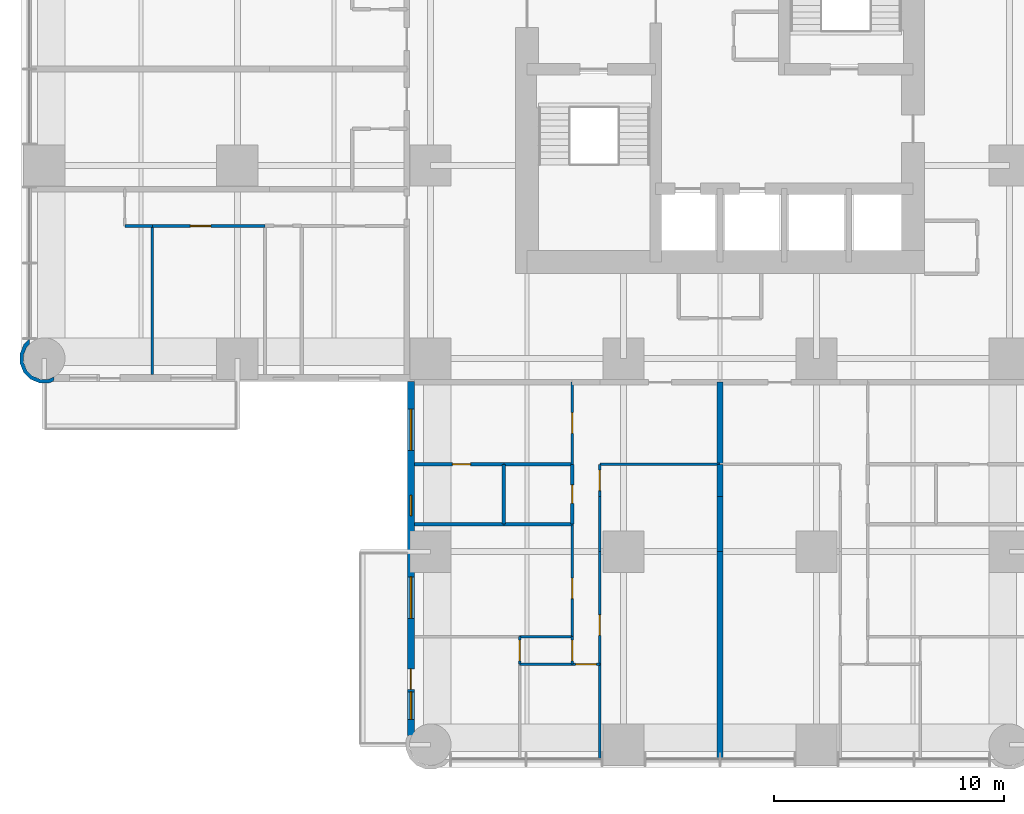
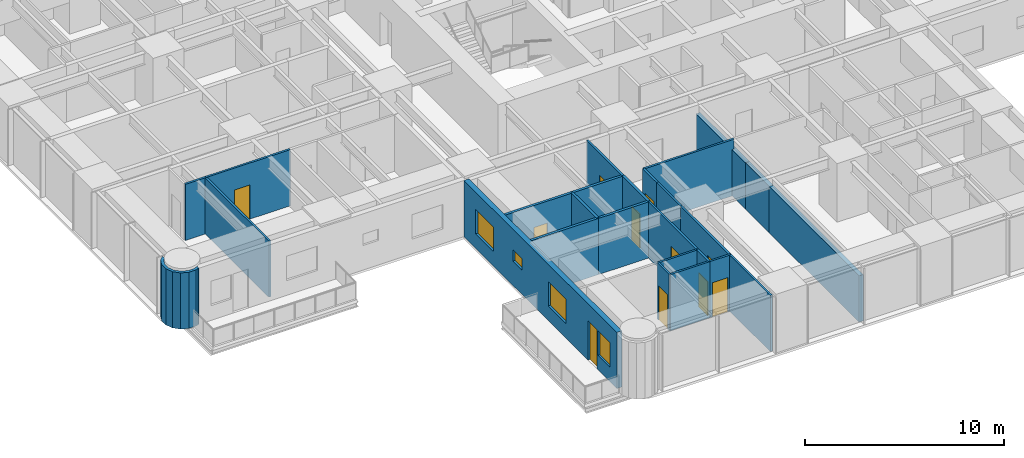
# One storey, part 7 of 17: 27 walls, 11 doors, 4 windows, 15 openings.
"""IFC4 building model written with IfcOpenShell, lengths in metres."""

from ifc_helpers import new_model, si_unit, direction, frame, frame_2d, origin, place, context, subcontext, project, spatial, polyline, rectangle, outline, extrude, material, layer, layer_set, type_object, element, fill, save


model = new_model("IFC4")

# Units and contexts
model_context = context("Model", 3, precision=1e-05, world=origin(), true_north=direction((0.0, 1.0)))
body_context = subcontext(model_context, "Body", "Model", "MODEL_VIEW")
ifc_project = project(units=[si_unit("LENGTHUNIT", "METRE"), si_unit("AREAUNIT", "SQUARE_METRE"), si_unit("VOLUMEUNIT", "CUBIC_METRE"), si_unit("PLANEANGLEUNIT", "RADIAN"), si_unit("MASSUNIT", "GRAM", prefix="KILO")], contexts=[model_context])

# Site, building, storey
site_placement = place(None, origin())
site = spatial("IfcSite", under=ifc_project, at=site_placement, CompositionType="ELEMENT")
building_placement = place(site_placement, origin())
building = spatial("IfcBuilding", under=site, at=building_placement, Name="Torre Alcanfor", CompositionType="ELEMENT")
storey_placement = place(building_placement, frame((0.0, 0.0, 63.300048828125)))
storey = spatial("IfcBuildingStorey", under=building, at=storey_placement, Name="L15", CompositionType="ELEMENT", Elevation=63.300048828125)

# Wall
ifc_material_1 = material(Name="Gypsum board on steel studs", Category="steel")
ifc_layer_1 = layer(ifc_material_1, 0.1201171875)
ifc_layer_set_1 = layer_set([ifc_layer_1], Name="Apartment partition 120")
wall_type_1 = type_object("IfcWallType", Name="Apartment partition 120", PredefinedType="PARTITIONING", material=ifc_layer_set_1)
wall_1_placement = place(storey_placement, frame((29.39990234375, 12.199951171875, 0.0), z_axis=(0.0, 0.0, 1.0), x_axis=(-1.0, 0.0, 0.0)))
element("IfcWall", 1, at=wall_1_placement, inside=storey, type_object=wall_type_1, Name="Partition L15-S2-ZAG / L15-S2-LAUND", PredefinedType="PARTITIONING", context=body_context, shape_type="SweptSolid", body=[
    extrude(rectangle(XDim=5.22900390625, YDim=0.1201171875, at=frame_2d((2.614501953125, 0.0))), origin(), (0.0, 0.0, 1.0), 3.449951171875),
])

# Wall, opening, door
wall_2_placement = place(storey_placement, frame((24.1708984375, 10.800048828125, 0.0), z_axis=(0.0, 0.0, 1.0), x_axis=(0.0, 1.0, 0.0)))
wall_2 = element("IfcWall", 2, at=wall_2_placement, inside=storey, type_object=wall_type_1, Name="Partition L15-S2-LAUND / L15-S2-HALL", PredefinedType="PARTITIONING", context=body_context, shape_type="SweptSolid", body=[
    extrude(rectangle(XDim=1.39990234375, YDim=0.1201171875, at=frame_2d((0.699951171875, 0.0))), origin(), (0.0, 0.0, 1.0), 3.449951171875),
])
opening_1_placement = place(wall_2_placement, frame((0.25, 0.0, 0.0)))
opening_1 = element("IfcOpeningElement", 3, at=opening_1_placement, cuts=wall_2, Name="Opening D-R1", PredefinedType="OPENING", context=body_context, shape_type="SweptSolid", body=[
    extrude(rectangle(XDim=0.89990234375, YDim=2.10009765625, at=frame_2d((0.449951171875, 1.050048828125))), frame((0.0, 0.070068359375, 0.0), z_axis=(0.0, -1.0, 0.0), x_axis=(1.0, 0.0, 0.0)), (0.0, 0.0, 1.0), 0.14013671875),
])
ifc_material_2 = material(Name="Timber", Category="wood")
door_type_1 = type_object("IfcDoorType", Name="Internal door 900x2100", OperationType="SINGLE_SWING_LEFT", PredefinedType="DOOR", material=ifc_material_2)
door_1_placement = place(opening_1_placement, frame((0.89990234375, 0.0, 0.0), z_axis=(0.0, 0.0, 1.0), x_axis=(-1.0, 0.0, 0.0)))
door_1 = element("IfcDoor", 4, at=door_1_placement, inside=storey, type_object=door_type_1, Name="Door L15-S2 laund", OperationType="SINGLE_SWING_RIGHT", OverallHeight=2.10009765625, OverallWidth=0.89990234375, PredefinedType="DOOR", context=body_context, shape_type="SweptSolid", body=[
    extrude(rectangle(XDim=0.89990234375, YDim=2.10009765625, at=frame_2d((0.449951171875, 1.050048828125))), frame((0.0, 0.025146484375, 0.0), z_axis=(0.0, -1.0, 0.0), x_axis=(1.0, 0.0, 0.0)), (0.0, 0.0, 1.0), 0.050048828125),
])
fill(opening_1, door_1)

# Wall
wall_3_placement = place(storey_placement, frame((24.1708984375, 8.39990234375, 0.0), z_axis=(0.0, 0.0, 1.0), x_axis=(0.0, 1.0, 0.0)))
element("IfcWall", 5, at=wall_3_placement, inside=storey, type_object=wall_type_1, Name="Partition L15-S2-KITCHEN / L15-S2-HALL", PredefinedType="PARTITIONING", context=body_context, shape_type="SweptSolid", body=[
    extrude(rectangle(XDim=2.400146484375, YDim=0.1201171875, at=frame_2d((1.2001953125, 0.0))), origin(), (0.0, 0.0, 1.0), 3.449951171875),
])

# Wall, opening, door
wall_4_placement = place(storey_placement, frame((24.1708984375, 3.5, 0.0), z_axis=(0.0, 0.0, 1.0), x_axis=(0.0, 1.0, 0.0)))
wall_4 = element("IfcWall", 6, at=wall_4_placement, inside=storey, type_object=wall_type_1, Name="Partition L15-S2-LIVING / L15-S2-HALL", PredefinedType="PARTITIONING", context=body_context, shape_type="SweptSolid", body=[
    extrude(rectangle(XDim=4.89990234375, YDim=0.1201171875, at=frame_2d((2.449951171875, 0.0))), origin(), (0.0, 0.0, 1.0), 3.449951171875),
])
opening_2_placement = place(wall_4_placement, frame((1.25, 0.0, 0.0)))
opening_2 = element("IfcOpeningElement", 7, at=opening_2_placement, cuts=wall_4, Name="Opening D-R1", PredefinedType="OPENING", context=body_context, shape_type="SweptSolid", body=[
    extrude(rectangle(XDim=0.89990234375, YDim=2.10009765625, at=frame_2d((0.449951171875, 1.050048828125))), frame((0.0, 0.070068359375, 0.0), z_axis=(0.0, -1.0, 0.0), x_axis=(1.0, 0.0, 0.0)), (0.0, 0.0, 1.0), 0.14013671875),
])
door_2_placement = place(opening_2_placement, frame((0.89990234375, 0.0, 0.0), z_axis=(0.0, 0.0, 1.0), x_axis=(-1.0, 0.0, 0.0)))
door_2 = element("IfcDoor", 8, at=door_2_placement, inside=storey, type_object=door_type_1, Name="Door L15-S2 living", OperationType="SINGLE_SWING_LEFT", OverallHeight=2.10009765625, OverallWidth=0.89990234375, PredefinedType="DOOR", context=body_context, shape_type="SweptSolid", body=[
    extrude(rectangle(XDim=0.89990234375, YDim=2.10009765625, at=frame_2d((0.449951171875, 1.050048828125))), frame((0.0, 0.025146484375, 0.0), z_axis=(0.0, -1.0, 0.0), x_axis=(1.0, 0.0, 0.0)), (0.0, 0.0, 1.0), 0.050048828125),
])
fill(opening_2, door_2)

# Wall
wall_5_placement = place(storey_placement, frame((24.1708984375, -0.64990234375, 0.0), z_axis=(0.0, 0.0, 1.0), x_axis=(0.0, 1.0, 0.0)))
element("IfcWall", 9, at=wall_5_placement, inside=storey, type_object=wall_type_1, Name="Partition L15-S2-LIVING / L15-S2-BED2", PredefinedType="PARTITIONING", context=body_context, shape_type="SweptSolid", body=[
    extrude(rectangle(XDim=4.14990234375, YDim=0.1201171875, at=frame_2d((2.074951171875, 0.0))), origin(), (0.0, 0.0, 1.0), 3.449951171875),
])

# Wall, opening, door
wall_6_placement = place(storey_placement, frame((22.970947265625, 12.199951171875, 0.0), z_axis=(0.0, 0.0, 1.0), x_axis=(0.0, 1.0, 0.0)))
wall_6 = element("IfcWall", 10, at=wall_6_placement, inside=storey, type_object=wall_type_1, Name="Partition L15-S2-HALL / L15-S2-SERV", PredefinedType="PARTITIONING", context=body_context, shape_type="SweptSolid", body=[
    extrude(rectangle(XDim=3.574951171875, YDim=0.1201171875, at=frame_2d((1.78759765625, 0.0))), origin(), (0.0, 0.0, 1.0), 3.449951171875),
])
opening_3_placement = place(wall_6_placement, frame((1.35009765625, 0.0, 0.0)))
opening_3 = element("IfcOpeningElement", 11, at=opening_3_placement, cuts=wall_6, Name="Opening D-R1", PredefinedType="OPENING", context=body_context, shape_type="SweptSolid", body=[
    extrude(rectangle(XDim=0.89990234375, YDim=2.10009765625, at=frame_2d((0.449951171875, 1.050048828125))), frame((0.0, 0.070068359375, 0.0), z_axis=(0.0, -1.0, 0.0), x_axis=(1.0, 0.0, 0.0)), (0.0, 0.0, 1.0), 0.14013671875),
])
door_3_placement = place(opening_3_placement, origin())
door_3 = element("IfcDoor", 12, at=door_3_placement, inside=storey, type_object=door_type_1, Name="Door L15-S2 serv", OperationType="SINGLE_SWING_RIGHT", OverallHeight=2.10009765625, OverallWidth=0.89990234375, PredefinedType="DOOR", context=body_context, shape_type="SweptSolid", body=[
    extrude(rectangle(XDim=0.89990234375, YDim=2.10009765625, at=frame_2d((0.449951171875, 1.050048828125))), frame((0.0, 0.02490234375, 0.0), z_axis=(0.0, -1.0, 0.0), x_axis=(1.0, 0.0, 0.0)), (0.0, 0.0, 1.0), 0.050048828125),
])
fill(opening_3, door_3)

wall_7_placement = place(storey_placement, frame((22.970947265625, 4.699951171875, 0.0), z_axis=(0.0, 0.0, 1.0), x_axis=(0.0, 1.0, 0.0)))
wall_7 = element("IfcWall", 13, at=wall_7_placement, inside=storey, type_object=wall_type_1, Name="Partition L15-S2-HALL / L15-S2-BED3", PredefinedType="PARTITIONING", context=body_context, shape_type="SweptSolid", body=[
    extrude(rectangle(XDim=4.900146484375, YDim=0.1201171875, at=frame_2d((2.4501953125, 0.0))), origin(), (0.0, 0.0, 1.0), 3.449951171875),
])
opening_4_placement = place(wall_7_placement, frame((1.64990234375, 0.0, 0.0)))
opening_4 = element("IfcOpeningElement", 14, at=opening_4_placement, cuts=wall_7, Name="Opening D-R1", PredefinedType="OPENING", context=body_context, shape_type="SweptSolid", body=[
    extrude(rectangle(XDim=0.89990234375, YDim=2.10009765625, at=frame_2d((0.449951171875, 1.050048828125))), frame((0.0, 0.070068359375, 0.0), z_axis=(0.0, -1.0, 0.0), x_axis=(1.0, 0.0, 0.0)), (0.0, 0.0, 1.0), 0.14013671875),
])
door_4_placement = place(opening_4_placement, origin())
door_4 = element("IfcDoor", 15, at=door_4_placement, inside=storey, type_object=door_type_1, Name="Door L15-S2 bed3", OperationType="SINGLE_SWING_LEFT", OverallHeight=2.10009765625, OverallWidth=0.89990234375, PredefinedType="DOOR", context=body_context, shape_type="SweptSolid", body=[
    extrude(rectangle(XDim=0.89990234375, YDim=2.10009765625, at=frame_2d((0.449951171875, 1.050048828125))), frame((0.0, 0.02490234375, 0.0), z_axis=(0.0, -1.0, 0.0), x_axis=(1.0, 0.0, 0.0)), (0.0, 0.0, 1.0), 0.050048828125),
])
fill(opening_4, door_4)

wall_8_placement = place(storey_placement, frame((22.970947265625, 3.5, 0.0), z_axis=(0.0, 0.0, 1.0), x_axis=(0.0, 1.0, 0.0)))
wall_8 = element("IfcWall", 16, at=wall_8_placement, inside=storey, type_object=wall_type_1, Name="Partition L15-S2-HALL / L15-S2-VEST", PredefinedType="PARTITIONING", context=body_context, shape_type="SweptSolid", body=[
    extrude(rectangle(XDim=1.199951171875, YDim=0.1201171875, at=frame_2d((0.60009765625, 0.0))), origin(), (0.0, 0.0, 1.0), 3.449951171875),
])
opening_5_placement = place(wall_8_placement, frame((0.14990234375, 0.0, 0.0)))
opening_5 = element("IfcOpeningElement", 17, at=opening_5_placement, cuts=wall_8, Name="Opening D-R1", PredefinedType="OPENING", context=body_context, shape_type="SweptSolid", body=[
    extrude(rectangle(XDim=0.89990234375, YDim=2.10009765625, at=frame_2d((0.449951171875, 1.050048828125))), frame((0.0, 0.070068359375, 0.0), z_axis=(0.0, -1.0, 0.0), x_axis=(1.0, 0.0, 0.0)), (0.0, 0.0, 1.0), 0.14013671875),
])
door_5_placement = place(opening_5_placement, origin())
door_5 = element("IfcDoor", 18, at=door_5_placement, inside=storey, type_object=door_type_1, Name="Door L15-S2 vest", OperationType="SINGLE_SWING_LEFT", OverallHeight=2.10009765625, OverallWidth=0.89990234375, PredefinedType="DOOR", context=body_context, shape_type="SweptSolid", body=[
    extrude(rectangle(XDim=0.89990234375, YDim=2.10009765625, at=frame_2d((0.449951171875, 1.050048828125))), frame((0.0, 0.02490234375, 0.0), z_axis=(0.0, -1.0, 0.0), x_axis=(1.0, 0.0, 0.0)), (0.0, 0.0, 1.0), 0.050048828125),
])
fill(opening_5, door_5)

wall_9_placement = place(storey_placement, frame((24.1708984375, 3.5, 0.0), z_axis=(0.0, 0.0, 1.0), x_axis=(-1.0, 0.0, 0.0)))
wall_9 = element("IfcWall", 19, at=wall_9_placement, inside=storey, type_object=wall_type_1, Name="Partition L15-S2-HALL / L15-S2-BED2", PredefinedType="PARTITIONING", context=body_context, shape_type="SweptSolid", body=[
    extrude(rectangle(XDim=1.199951171875, YDim=0.1201171875, at=frame_2d((0.60009765625, 0.0))), origin(), (0.0, 0.0, 1.0), 3.449951171875),
])
opening_6_placement = place(wall_9_placement, frame((0.15087890625, 0.0, 0.0)))
opening_6 = element("IfcOpeningElement", 20, at=opening_6_placement, cuts=wall_9, Name="Opening D-R1", PredefinedType="OPENING", context=body_context, shape_type="SweptSolid", body=[
    extrude(rectangle(XDim=0.89990234375, YDim=2.10009765625, at=frame_2d((0.449951171875, 1.050048828125))), frame((0.0, 0.070068359375, 0.0), z_axis=(0.0, -1.0, 0.0), x_axis=(1.0, 0.0, 0.0)), (0.0, 0.0, 1.0), 0.14013671875),
])
door_6_placement = place(opening_6_placement, origin())
door_6 = element("IfcDoor", 21, at=door_6_placement, inside=storey, type_object=door_type_1, Name="Door L15-S2 bed2", OperationType="SINGLE_SWING_LEFT", OverallHeight=2.10009765625, OverallWidth=0.89990234375, PredefinedType="DOOR", context=body_context, shape_type="SweptSolid", body=[
    extrude(rectangle(XDim=0.89990234375, YDim=2.10009765625, at=frame_2d((0.449951171875, 1.050048828125))), frame((0.0, 0.02490234375, 0.0), z_axis=(0.0, -1.0, 0.0), x_axis=(1.0, 0.0, 0.0)), (0.0, 0.0, 1.0), 0.050048828125),
])
fill(opening_6, door_6)

# Walls
for number, where, z_axis, x_axis, name in (
    (22, (22.970947265625, 4.699951171875, 0.0), (0.0, 0.0, 1.0), (-1.0, 0.0, 0.0), "Partition L15-S2-BED3 / L15-S2-VEST"),
    (23, (22.970947265625, 3.5, 0.0), (0.0, 0.0, 1.0), (-1.0, 0.0, 0.0), "Partition L15-S2-VEST / L15-S2-BED2"),
):
    element("IfcWall", number, at=place(storey_placement, frame(where, z_axis=z_axis, x_axis=x_axis)), inside=storey, type_object=wall_type_1, Name=name, PredefinedType="PARTITIONING", context=body_context, shape_type="SweptSolid", body=[
        extrude(rectangle(XDim=2.284912109375, YDim=0.1201171875, at=frame_2d((1.142578125, 0.0))), origin(), (0.0, 0.0, 1.0), 3.449951171875),
    ])

# Wall, opening, door
wall_10_placement = place(storey_placement, frame((20.68603515625, 3.5, 0.0), z_axis=(0.0, 0.0, 1.0), x_axis=(0.0, 1.0, 0.0)))
wall_10 = element("IfcWall", 24, at=wall_10_placement, inside=storey, type_object=wall_type_1, Name="Partition L15-S2-VEST / L15-S2-MASTER", PredefinedType="PARTITIONING", context=body_context, shape_type="SweptSolid", body=[
    extrude(rectangle(XDim=1.199951171875, YDim=0.1201171875, at=frame_2d((0.60009765625, 0.0))), origin(), (0.0, 0.0, 1.0), 3.449951171875),
])
opening_7_placement = place(wall_10_placement, frame((0.14990234375, 0.0, 0.0)))
opening_7 = element("IfcOpeningElement", 25, at=opening_7_placement, cuts=wall_10, Name="Opening D-R1", PredefinedType="OPENING", context=body_context, shape_type="SweptSolid", body=[
    extrude(rectangle(XDim=0.89990234375, YDim=2.10009765625, at=frame_2d((0.449951171875, 1.050048828125))), frame((0.0, 0.070068359375, 0.0), z_axis=(0.0, -1.0, 0.0), x_axis=(1.0, 0.0, 0.0)), (0.0, 0.0, 1.0), 0.14013671875),
])
door_7_placement = place(opening_7_placement, frame((0.89990234375, 0.0, 0.0), z_axis=(0.0, 0.0, 1.0), x_axis=(-1.0, 0.0, 0.0)))
door_7 = element("IfcDoor", 26, at=door_7_placement, inside=storey, type_object=door_type_1, Name="Door L15-S2 master", OperationType="SINGLE_SWING_RIGHT", OverallHeight=2.10009765625, OverallWidth=0.89990234375, PredefinedType="DOOR", context=body_context, shape_type="SweptSolid", body=[
    extrude(rectangle(XDim=0.89990234375, YDim=2.10009765625, at=frame_2d((0.449951171875, 1.050048828125))), frame((0.0, 0.025146484375, 0.0), z_axis=(0.0, -1.0, 0.0), x_axis=(1.0, 0.0, 0.0)), (0.0, 0.0, 1.0), 0.050048828125),
])
fill(opening_7, door_7)

wall_11_placement = place(storey_placement, frame((4.699951171875, 22.571044921875, 0.0), z_axis=(0.0, 0.0, 1.0), x_axis=(1.0, 0.0, 0.0)))
wall_11 = element("IfcWall", 27, at=wall_11_placement, inside=storey, type_object=wall_type_1, Name="Partition L15-W1B-HALL / L15-W1B-MASTER", PredefinedType="PARTITIONING", context=body_context, shape_type="SweptSolid", body=[
    extrude(rectangle(XDim=4.900146484375, YDim=0.1201171875, at=frame_2d((2.4501953125, 0.0))), origin(), (0.0, 0.0, 1.0), 3.449951171875),
])
opening_8_placement = place(wall_11_placement, frame((1.64990234375, 0.0, 0.0)))
opening_8 = element("IfcOpeningElement", 28, at=opening_8_placement, cuts=wall_11, Name="Opening D-R1", PredefinedType="OPENING", context=body_context, shape_type="SweptSolid", body=[
    extrude(rectangle(XDim=0.89990234375, YDim=2.10009765625, at=frame_2d((0.449951171875, 1.050048828125))), frame((0.0, 0.070068359375, 0.0), z_axis=(0.0, -1.0, 0.0), x_axis=(1.0, 0.0, 0.0)), (0.0, 0.0, 1.0), 0.14013671875),
])
door_8_placement = place(opening_8_placement, frame((0.89990234375, 0.0, 0.0), z_axis=(0.0, 0.0, 1.0), x_axis=(-1.0, 0.0, 0.0)))
door_8 = element("IfcDoor", 29, at=door_8_placement, inside=storey, type_object=door_type_1, Name="Door L15-W1B master", OperationType="SINGLE_SWING_RIGHT", OverallHeight=2.10009765625, OverallWidth=0.89990234375, PredefinedType="DOOR", context=body_context, shape_type="SweptSolid", body=[
    extrude(rectangle(XDim=0.89990234375, YDim=2.10009765625, at=frame_2d((0.449951171875, 1.050048828125))), frame((0.0, 0.025146484375, 0.0), z_axis=(0.0, -1.0, 0.0), x_axis=(1.0, 0.0, 0.0)), (0.0, 0.0, 1.0), 0.050048828125),
])
fill(opening_8, door_8)

# Walls
wall_12_placement = place(storey_placement, frame((3.5, 22.571044921875, 0.0), z_axis=(0.0, 0.0, 1.0), x_axis=(1.0, 0.0, 0.0)))
element("IfcWall", 30, at=wall_12_placement, inside=storey, type_object=wall_type_1, Name="Partition L15-W1B-HALL / L15-W1B-KITCHEN", PredefinedType="PARTITIONING", context=body_context, shape_type="SweptSolid", body=[
    extrude(rectangle(XDim=1.199951171875, YDim=0.1201171875, at=frame_2d((0.60009765625, 0.0))), origin(), (0.0, 0.0, 1.0), 3.449951171875),
])
wall_13_placement = place(storey_placement, frame((4.699951171875, 22.571044921875, 0.0), z_axis=(0.0, 0.0, 1.0), x_axis=(0.0, -1.0, 0.0)))
element("IfcWall", 31, at=wall_13_placement, inside=storey, type_object=wall_type_1, Name="Partition L15-W1B-MASTER / L15-W1B-KITCHEN", PredefinedType="PARTITIONING", context=body_context, shape_type="SweptSolid", body=[
    extrude(rectangle(XDim=6.470947265625, YDim=0.1201171875, at=frame_2d((3.2353515625, 0.0))), origin(), (0.0, 0.0, 1.0), 3.449951171875),
])

# Wall, openings, door, windows
ifc_material_3 = material(Name="Limestone cladding", Category="masonry")
ifc_layer_2 = layer(ifc_material_3, 0.0400390625, Name="Facing")
ifc_material_4 = material(Name="Ventilated air cavity")
ifc_layer_3 = layer(ifc_material_4, 0.02001953125, ventilated=True, Name="Ventilated joint")
ifc_material_5 = material(Name="Mineral wool insulation", Category="insulation")
ifc_layer_4 = layer(ifc_material_5, 0.10009765625, Name="Insulation")
ifc_material_6 = material(Name="Concrete f'c 35 MPa", Category="concrete")
ifc_layer_5 = layer(ifc_material_6, 0.139892578125, Name="Backing")
ifc_layer_set_2 = layer_set([ifc_layer_2, ifc_layer_3, ifc_layer_4, ifc_layer_5], Name="External wall stone-clad 300")
wall_type_2 = type_object("IfcWallType", Name="External wall stone-clad 300", PredefinedType="SOLIDWALL", material=ifc_layer_set_2)
wall_14_placement = place(storey_placement, frame((15.949951171875, 15.800048828125, 0.0), z_axis=(0.0, 0.0, 1.0), x_axis=(0.0, -1.0, 0.0)))
wall_14 = element("IfcWall", 32, at=wall_14_placement, inside=storey, type_object=wall_type_2, Name="External wall L15 4", PredefinedType="SOLIDWALL", context=body_context, shape_type="SweptSolid", body=[
    extrude(rectangle(XDim=15.400146484375, YDim=0.300048828125, at=frame_2d((7.7001953125, 0.0))), origin(), (0.0, 0.0, 1.0), 3.449951171875),
])
opening_9_placement = place(wall_14_placement, frame((1.199951171875, 0.0, 0.89990234375)))
opening_9 = element("IfcOpeningElement", 33, at=opening_9_placement, cuts=wall_14, Name="Opening W2", PredefinedType="OPENING", context=body_context, shape_type="SweptSolid", body=[
    extrude(rectangle(XDim=1.800048828125, YDim=1.5, at=frame_2d((0.89990234375, 0.75))), frame((0.0, 0.159912109375, 0.0), z_axis=(0.0, -1.0, 0.0), x_axis=(1.0, 0.0, 0.0)), (0.0, 0.0, 1.0), 0.320068359375),
])
opening_10_placement = place(wall_14_placement, frame((4.949951171875, 0.0, 1.5)))
opening_10 = element("IfcOpeningElement", 34, at=opening_10_placement, cuts=wall_14, Name="Opening W3", PredefinedType="OPENING", context=body_context, shape_type="SweptSolid", body=[
    extrude(rectangle(XDim=0.89990234375, YDim=0.699951171875, at=frame_2d((0.449951171875, 0.35009765625))), frame((0.0, 0.159912109375, 0.0), z_axis=(0.0, -1.0, 0.0), x_axis=(1.0, 0.0, 0.0)), (0.0, 0.0, 1.0), 0.320068359375),
])
opening_11_placement = place(wall_14_placement, frame((8.5, 0.0, 0.89990234375)))
opening_11 = element("IfcOpeningElement", 35, at=opening_11_placement, cuts=wall_14, Name="Opening W2", PredefinedType="OPENING", context=body_context, shape_type="SweptSolid", body=[
    extrude(rectangle(XDim=1.800048828125, YDim=1.5, at=frame_2d((0.89990234375, 0.75))), frame((0.0, 0.159912109375, 0.0), z_axis=(0.0, -1.0, 0.0), x_axis=(1.0, 0.0, 0.0)), (0.0, 0.0, 1.0), 0.320068359375),
])
opening_12_placement = place(wall_14_placement, frame((12.5, 0.0, 0.0)))
opening_12 = element("IfcOpeningElement", 36, at=opening_12_placement, cuts=wall_14, Name="Opening D-B1", PredefinedType="OPENING", context=body_context, shape_type="SweptSolid", body=[
    extrude(rectangle(XDim=0.89990234375, YDim=2.39990234375, at=frame_2d((0.449951171875, 1.199951171875))), frame((0.0, 0.159912109375, 0.0), z_axis=(0.0, -1.0, 0.0), x_axis=(1.0, 0.0, 0.0)), (0.0, 0.0, 1.0), 0.320068359375),
])
opening_13_placement = place(wall_14_placement, frame((13.5, 0.0, 0.89990234375)))
opening_13 = element("IfcOpeningElement", 37, at=opening_13_placement, cuts=wall_14, Name="Opening W4", PredefinedType="OPENING", context=body_context, shape_type="SweptSolid", body=[
    extrude(rectangle(XDim=1.199951171875, YDim=1.5, at=frame_2d((0.60009765625, 0.75))), frame((0.0, 0.159912109375, 0.0), z_axis=(0.0, -1.0, 0.0), x_axis=(1.0, 0.0, 0.0)), (0.0, 0.0, 1.0), 0.320068359375),
])
ifc_material_7 = material(Name="Aluminium and glass", Category="aluminium")
door_type_2 = type_object("IfcDoorType", Name="Balcony door glazed 900x2400", OperationType="SINGLE_SWING_LEFT", PredefinedType="DOOR", material=ifc_material_7)
door_9_placement = place(opening_12_placement, origin())
door_9 = element("IfcDoor", 38, at=door_9_placement, inside=storey, type_object=door_type_2, Name="Balcony door L15-S2", OperationType="SINGLE_SWING_LEFT", OverallHeight=2.39990234375, OverallWidth=0.89990234375, PredefinedType="DOOR", context=body_context, shape_type="SweptSolid", body=[
    extrude(rectangle(XDim=0.89990234375, YDim=2.39990234375, at=frame_2d((0.449951171875, 1.199951171875))), frame((0.0, 0.02490234375, 0.0), z_axis=(0.0, -1.0, 0.0), x_axis=(1.0, 0.0, 0.0)), (0.0, 0.0, 1.0), 0.050048828125),
])
fill(opening_12, door_9)
ifc_material_8 = material(Name="Aluminium frame with clear double glazing", Category="aluminium")
window_type_1 = type_object("IfcWindowType", Name="Window bathroom 900x700", PartitioningType="SINGLE_PANEL", PredefinedType="WINDOW", material=ifc_material_8)
window_1_placement = place(opening_10_placement, origin())
window_1 = element("IfcWindow", 39, at=window_1_placement, inside=storey, type_object=window_type_1, Name="Window W3 L15-S2", OverallHeight=0.699951171875, OverallWidth=0.89990234375, PartitioningType="SINGLE_PANEL", PredefinedType="WINDOW", context=body_context, shape_type="SweptSolid", body=[
    extrude(rectangle(XDim=0.89990234375, YDim=0.699951171875, at=frame_2d((0.449951171875, 0.35009765625))), frame((0.0, 0.030029296875, 0.0), z_axis=(0.0, -1.0, 0.0), x_axis=(1.0, 0.0, 0.0)), (0.0, 0.0, 1.0), 0.06005859375),
])
fill(opening_10, window_1)
ifc_material_9 = material(Name="Aluminium frame with clear double glazing", Category="aluminium")
window_type_2 = type_object("IfcWindowType", Name="Window bedroom 1200x1500", PartitioningType="SINGLE_PANEL", PredefinedType="WINDOW", material=ifc_material_9)
window_2_placement = place(opening_13_placement, origin())
window_2 = element("IfcWindow", 40, at=window_2_placement, inside=storey, type_object=window_type_2, Name="Window W4 L15-S2", OverallHeight=1.5, OverallWidth=1.199951171875, PartitioningType="SINGLE_PANEL", PredefinedType="WINDOW", context=body_context, shape_type="SweptSolid", body=[
    extrude(rectangle(XDim=1.199951171875, YDim=1.5, at=frame_2d((0.60009765625, 0.75))), frame((0.0, 0.030029296875, 0.0), z_axis=(0.0, -1.0, 0.0), x_axis=(1.0, 0.0, 0.0)), (0.0, 0.0, 1.0), 0.06005859375),
])
fill(opening_13, window_2)
ifc_material_10 = material(Name="Aluminium frame with clear double glazing", Category="aluminium")
window_type_3 = type_object("IfcWindowType", Name="Window bedroom 1800x1500", PartitioningType="SINGLE_PANEL", PredefinedType="WINDOW", material=ifc_material_10)
window_3_placement = place(opening_9_placement, origin())
window_3 = element("IfcWindow", 41, at=window_3_placement, inside=storey, type_object=window_type_3, Name="Window W2 L15-S2", OverallHeight=1.5, OverallWidth=1.800048828125, PartitioningType="SINGLE_PANEL", PredefinedType="WINDOW", context=body_context, shape_type="SweptSolid", body=[
    extrude(rectangle(XDim=1.800048828125, YDim=1.5, at=frame_2d((0.89990234375, 0.75))), frame((0.0, 0.030029296875, 0.0), z_axis=(0.0, -1.0, 0.0), x_axis=(1.0, 0.0, 0.0)), (0.0, 0.0, 1.0), 0.06005859375),
])
fill(opening_9, window_3)
window_4_placement = place(opening_11_placement, origin())
window_4 = element("IfcWindow", 42, at=window_4_placement, inside=storey, type_object=window_type_3, Name="Window W2 L15-S2", OverallHeight=1.5, OverallWidth=1.800048828125, PartitioningType="SINGLE_PANEL", PredefinedType="WINDOW", context=body_context, shape_type="SweptSolid", body=[
    extrude(rectangle(XDim=1.800048828125, YDim=1.5, at=frame_2d((0.89990234375, 0.75))), frame((0.0, 0.030029296875, 0.0), z_axis=(0.0, -1.0, 0.0), x_axis=(1.0, 0.0, 0.0)), (0.0, 0.0, 1.0), 0.06005859375),
])
fill(opening_11, window_4)

# Walls
ifc_material_11 = material(Name="Concrete block masonry, hollow blocks NMX-C-404 9 MPa", Category="masonry")
ifc_layer_6 = layer(ifc_material_11, 0.25)
ifc_layer_set_3 = layer_set([ifc_layer_6], Name="Party wall 250 EI 60")
wall_type_3 = type_object("IfcWallType", Name="Party wall 250 EI 60", PredefinedType="PARTITIONING", material=ifc_layer_set_3)
wall_15_placement = place(storey_placement, frame((29.39990234375, 15.77490234375, 0.0), z_axis=(0.0, 0.0, 1.0), x_axis=(0.0, -1.0, 0.0)))
element("IfcWall", 43, at=wall_15_placement, inside=storey, type_object=wall_type_3, Name="Partition L15-S1-ZAG / L15-S2-ZAG", PredefinedType="PARTITIONING", context=body_context, shape_type="SweptSolid", body=[
    extrude(rectangle(XDim=3.574951171875, YDim=0.25, at=frame_2d((1.78759765625, 0.0))), origin(), (0.0, 0.0, 1.0), 2.847900390625),
])
wall_16_placement = place(storey_placement, frame((29.39990234375, 12.199951171875, 0.0), z_axis=(0.0, 0.0, 1.0), x_axis=(0.0, -1.0, 0.0)))
element("IfcWall", 44, at=wall_16_placement, inside=storey, type_object=wall_type_3, Name="Partition L15-S1-LAUND / L15-S2-LAUND", PredefinedType="PARTITIONING", context=body_context, shape_type="SweptSolid", body=[
    extrude(rectangle(XDim=1.39990234375, YDim=0.25, at=frame_2d((0.699951171875, 0.0))), origin(), (0.0, 0.0, 1.0), 2.847900390625),
])
wall_17_placement = place(storey_placement, frame((29.39990234375, 10.800048828125, 0.0), z_axis=(0.0, 0.0, 1.0), x_axis=(0.0, -1.0, 0.0)))
element("IfcWall", 45, at=wall_17_placement, inside=storey, type_object=wall_type_3, Name="Partition L15-S1-KITCHEN / L15-S2-KITCHEN", PredefinedType="PARTITIONING", context=body_context, shape_type="SweptSolid", body=[
    extrude(rectangle(XDim=2.400146484375, YDim=0.25, at=frame_2d((1.2001953125, 0.0))), origin(), (0.0, 0.0, 1.0), 2.847900390625),
])
wall_18_placement = place(storey_placement, frame((29.39990234375, 8.39990234375, 0.0), z_axis=(0.0, 0.0, 1.0), x_axis=(0.0, -1.0, 0.0)))
element("IfcWall", 46, at=wall_18_placement, inside=storey, type_object=wall_type_3, Name="Partition L15-S1-LIVING / L15-S2-LIVING", PredefinedType="PARTITIONING", context=body_context, shape_type="SweptSolid", body=[
    extrude(rectangle(XDim=9.0498046875, YDim=0.25, at=frame_2d((4.52490234375, 0.0))), origin(), (0.0, 0.0, 1.0), 2.847900390625),
])
ifc_layer_7 = layer(ifc_material_3, 0.0400390625, Name="Facing")
ifc_layer_8 = layer(ifc_material_4, 0.02001953125, ventilated=True, Name="Ventilated joint")
ifc_layer_9 = layer(ifc_material_5, 0.10009765625, Name="Insulation")
ifc_layer_10 = layer(ifc_material_6, 0.139892578125, Name="Backing")
ifc_layer_set_4 = layer_set([ifc_layer_7, ifc_layer_8, ifc_layer_9, ifc_layer_10], Name="Rounded corner pier stone-clad 300")
wall_type_4 = type_object("IfcWallType", Name="Rounded corner pier stone-clad 300", PredefinedType="SOLIDWALL", material=ifc_layer_set_4)
wall_19_placement = place(storey_placement, frame((-0.610519256, 17.56659392, 0.0), z_axis=(0.0, 0.0, 1.0), x_axis=(-0.926129809145, -0.377204953059, 0.0)))
element("IfcWall", 47, at=wall_19_placement, inside=storey, type_object=wall_type_4, Name="Corner pier L15 14", PredefinedType="SOLIDWALL", context=body_context, shape_type="SweptSolid", body=[
    extrude(outline(polyline([(-0.2694320048751383, 2.0171861008885523), (-0.3700526678318482, 1.8406866495551875), (-0.10232913830325796, 1.8423628952563784), (0.22959433821660935, 1.7071732294627), (0.4846648868960458, 1.4551341488862783), (0.6237723089217844, 1.1248457008471362), (0.6256501657648526, 0.7663568996565957), (0.49046049997117414, 0.4344334231367283), (0.2387396163581813, 0.17949688931473468), (0.09014163443691028, 0.11691195088889664), (0.010851237809964043, -0.07776523799639344), (0.024417592436116662, -0.08329070117597158), (0.32956848036437986, 0.045229547111777235), (0.4801338191951393, 0.19743274075920003), (0.4990091877024963, 0.1926447125875501), (0.5075557555746872, 0.2252788612711387), (0.6260018077392729, 0.3452223941390844), (0.7850430562581303, 0.7357073014618439), (0.782472278983801, 1.15721841463542), (0.6187061231885674, 1.5460551039454697), (0.3187132761612602, 1.8424884313203629), (-0.07154552525106339, 2.0014375887862275), (-0.2401131340992967, 2.00049972024067), (-0.2694320048751383, 2.0171861008885523)])), origin(), (0.0, 0.0, 1.0), 3.449951171875),
])

# Wall, opening, door
ifc_material_12 = material(Name="Cement board on steel studs", Category="steel")
ifc_layer_11 = layer(ifc_material_12, 0.14990234375)
ifc_layer_set_5 = layer_set([ifc_layer_11], Name="Wet area partition 150")
wall_type_5 = type_object("IfcWallType", Name="Wet area partition 150", PredefinedType="PARTITIONING", material=ifc_layer_set_5)
wall_20_placement = place(storey_placement, frame((22.970947265625, 9.60009765625, 0.0), z_axis=(0.0, 0.0, 1.0), x_axis=(0.0, 1.0, 0.0)))
wall_20 = element("IfcWall", 48, at=wall_20_placement, inside=storey, type_object=wall_type_5, Name="Partition L15-S2-HALL / L15-S2-BATH1", PredefinedType="PARTITIONING", context=body_context, shape_type="SweptSolid", body=[
    extrude(rectangle(XDim=2.599853515625, YDim=0.14990234375, at=frame_2d((1.2998046875, 0.0))), origin(), (0.0, 0.0, 1.0), 3.449951171875),
])
opening_14_placement = place(wall_20_placement, frame((0.89990234375, 0.0, 0.0)))
opening_14 = element("IfcOpeningElement", 49, at=opening_14_placement, cuts=wall_20, Name="Opening D-R2", PredefinedType="OPENING", context=body_context, shape_type="SweptSolid", body=[
    extrude(rectangle(XDim=0.800048828125, YDim=2.10009765625, at=frame_2d((0.39990234375, 1.050048828125))), frame((0.0, 0.0849609375, 0.0), z_axis=(0.0, -1.0, 0.0), x_axis=(1.0, 0.0, 0.0)), (0.0, 0.0, 1.0), 0.169921875),
])
ifc_material_13 = material(Name="Timber", Category="wood")
door_type_3 = type_object("IfcDoorType", Name="Bathroom door 800x2100", OperationType="SINGLE_SWING_LEFT", PredefinedType="DOOR", material=ifc_material_13)
door_10_placement = place(opening_14_placement, origin())
door_10 = element("IfcDoor", 50, at=door_10_placement, inside=storey, type_object=door_type_3, Name="Door L15-S2 bath1", OperationType="SINGLE_SWING_LEFT", OverallHeight=2.10009765625, OverallWidth=0.800048828125, PredefinedType="DOOR", context=body_context, shape_type="SweptSolid", body=[
    extrude(rectangle(XDim=0.800048828125, YDim=2.10009765625, at=frame_2d((0.39990234375, 1.050048828125))), frame((0.0, 0.02490234375, 0.0), z_axis=(0.0, -1.0, 0.0), x_axis=(1.0, 0.0, 0.0)), (0.0, 0.0, 1.0), 0.050048828125),
])
fill(opening_14, door_10)

# Wall
wall_21_placement = place(storey_placement, frame((22.970947265625, 12.199951171875, 0.0), z_axis=(0.0, 0.0, 1.0), x_axis=(-1.0, 0.0, 0.0)))
element("IfcWall", 51, at=wall_21_placement, inside=storey, type_object=wall_type_5, Name="Partition L15-S2-SERV / L15-S2-BATH1", PredefinedType="PARTITIONING", context=body_context, shape_type="SweptSolid", body=[
    extrude(rectangle(XDim=2.970947265625, YDim=0.14990234375, at=frame_2d((1.4853515625, 0.0))), origin(), (0.0, 0.0, 1.0), 3.449951171875),
])

# Wall, opening, door
wall_22_placement = place(storey_placement, frame((20.0, 12.199951171875, 0.0), z_axis=(0.0, 0.0, 1.0), x_axis=(-1.0, 0.0, 0.0)))
wall_22 = element("IfcWall", 52, at=wall_22_placement, inside=storey, type_object=wall_type_5, Name="Partition L15-S2-SERV / L15-S2-SBATH", PredefinedType="PARTITIONING", context=body_context, shape_type="SweptSolid", body=[
    extrude(rectangle(XDim=3.89990234375, YDim=0.14990234375, at=frame_2d((1.949951171875, 0.0))), origin(), (0.0, 0.0, 1.0), 3.449951171875),
])
opening_15_placement = place(wall_22_placement, frame((1.449951171875, 0.0, 0.0)))
opening_15 = element("IfcOpeningElement", 53, at=opening_15_placement, cuts=wall_22, Name="Opening D-R2", PredefinedType="OPENING", context=body_context, shape_type="SweptSolid", body=[
    extrude(rectangle(XDim=0.800048828125, YDim=2.10009765625, at=frame_2d((0.39990234375, 1.050048828125))), frame((0.0, 0.0849609375, 0.0), z_axis=(0.0, -1.0, 0.0), x_axis=(1.0, 0.0, 0.0)), (0.0, 0.0, 1.0), 0.169921875),
])
door_11_placement = place(opening_15_placement, origin())
door_11 = element("IfcDoor", 54, at=door_11_placement, inside=storey, type_object=door_type_3, Name="Door L15-S2 sbath", OperationType="SINGLE_SWING_LEFT", OverallHeight=2.10009765625, OverallWidth=0.800048828125, PredefinedType="DOOR", context=body_context, shape_type="SweptSolid", body=[
    extrude(rectangle(XDim=0.800048828125, YDim=2.10009765625, at=frame_2d((0.39990234375, 1.050048828125))), frame((0.0, 0.02490234375, 0.0), z_axis=(0.0, -1.0, 0.0), x_axis=(1.0, 0.0, 0.0)), (0.0, 0.0, 1.0), 0.050048828125),
])
fill(opening_15, door_11)

# Walls
wall_23_placement = place(storey_placement, frame((20.0, 9.60009765625, 0.0), z_axis=(0.0, 0.0, 1.0), x_axis=(0.0, 1.0, 0.0)))
element("IfcWall", 55, at=wall_23_placement, inside=storey, type_object=wall_type_5, Name="Partition L15-S2-BATH1 / L15-S2-SBATH", PredefinedType="PARTITIONING", context=body_context, shape_type="SweptSolid", body=[
    extrude(rectangle(XDim=2.599853515625, YDim=0.14990234375, at=frame_2d((1.2998046875, 0.0))), origin(), (0.0, 0.0, 1.0), 3.449951171875),
])
wall_24_placement = place(storey_placement, frame((22.970947265625, 9.60009765625, 0.0), z_axis=(0.0, 0.0, 1.0), x_axis=(-1.0, 0.0, 0.0)))
element("IfcWall", 56, at=wall_24_placement, inside=storey, type_object=wall_type_5, Name="Partition L15-S2-BATH1 / L15-S2-BED3", PredefinedType="PARTITIONING", context=body_context, shape_type="SweptSolid", body=[
    extrude(rectangle(XDim=2.970947265625, YDim=0.14990234375, at=frame_2d((1.4853515625, 0.0))), origin(), (0.0, 0.0, 1.0), 3.449951171875),
])
wall_25_placement = place(storey_placement, frame((20.0, 9.60009765625, 0.0), z_axis=(0.0, 0.0, 1.0), x_axis=(-1.0, 0.0, 0.0)))
element("IfcWall", 57, at=wall_25_placement, inside=storey, type_object=wall_type_5, Name="Partition L15-S2-SBATH / L15-S2-BED3", PredefinedType="PARTITIONING", context=body_context, shape_type="SweptSolid", body=[
    extrude(rectangle(XDim=3.89990234375, YDim=0.14990234375, at=frame_2d((1.949951171875, 0.0))), origin(), (0.0, 0.0, 1.0), 3.449951171875),
])

save(model, "model.ifc")
